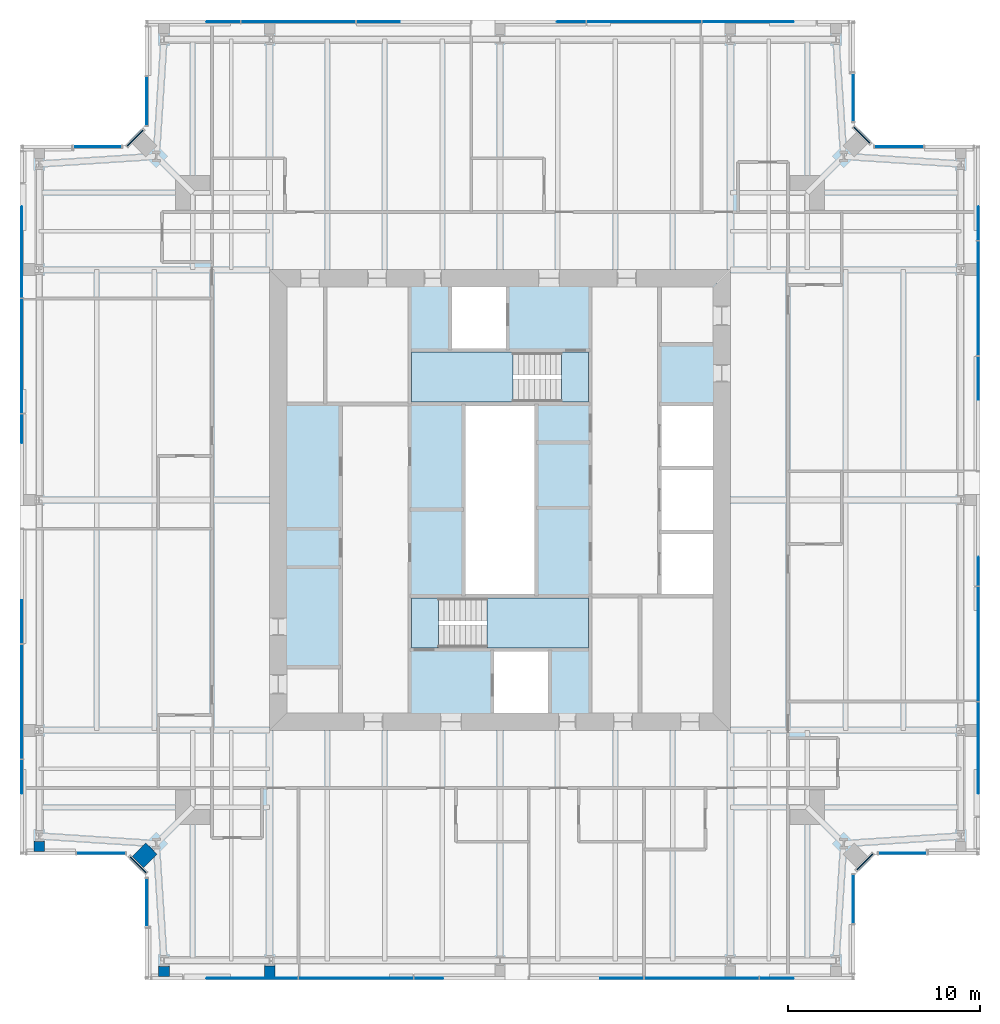
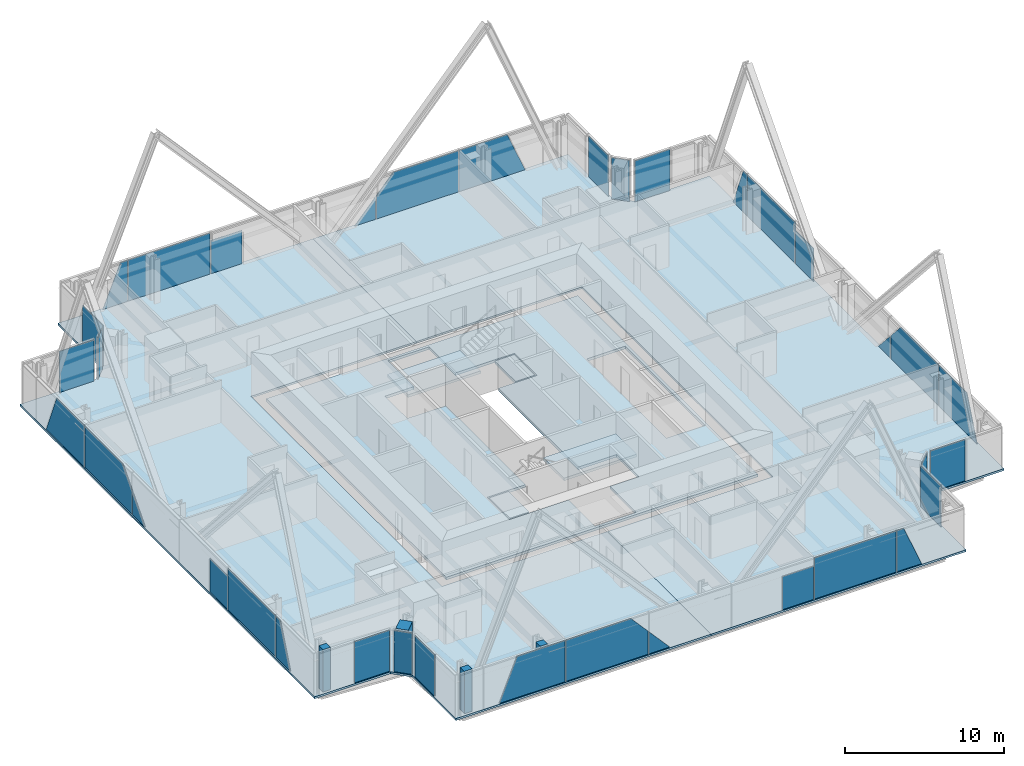
# One storey, part 10 of 19: 36 plates, 7 slabs, 4 walls, 18 elements without a shape of their own.
"""IFC4 building model written with IfcOpenShell, lengths in metres."""

from ifc_helpers import new_model, si_unit, direction, frame, frame_2d, origin, origin_2d, place, context, subcontext, project, spatial, polyline, rectangle, outline, extrude, material, layer, layer_set, type_object, element, aggregate, save


model = new_model("IFC4")

# Units and contexts
model_context = context("Model", 3, precision=1e-05, world=origin(), true_north=direction((0.0, 1.0)))
body_context = subcontext(model_context, "Body", "Model", "MODEL_VIEW")
ifc_project = project(units=[si_unit("LENGTHUNIT", "METRE"), si_unit("AREAUNIT", "SQUARE_METRE"), si_unit("VOLUMEUNIT", "CUBIC_METRE"), si_unit("PLANEANGLEUNIT", "RADIAN"), si_unit("MASSUNIT", "GRAM", prefix="KILO")], contexts=[model_context])

# Site, building, storey
site_placement = place(None, origin())
site = spatial("IfcSite", under=ifc_project, at=site_placement, CompositionType="ELEMENT")
building_placement = place(site_placement, origin())
building = spatial("IfcBuilding", under=site, at=building_placement, Name="Fenwick Lantern Interchange", CompositionType="ELEMENT")
storey_placement = place(building_placement, frame((0.0, 0.0, 283.199951171875)))
storey = spatial("IfcBuildingStorey", under=building, at=storey_placement, Name="L68", CompositionType="ELEMENT", Elevation=283.199951171875)

# Slabs
ifc_material_1 = material(Name="Concrete f'c 35 MPa", Category="concrete")
ifc_layer_1 = layer(ifc_material_1, 0.199951171875)
ifc_layer_set_1 = layer_set([ifc_layer_1], Name="CORE FLOOR SLAB 200")
slab_type_1 = type_object("IfcSlabType", Name="CORE FLOOR SLAB 200", PredefinedType="FLOOR", material=ifc_layer_set_1)
slab_1_placement = place(storey_placement, frame((0.0, 0.0, -0.199951171875)))
element("IfcSlab", 1, at=slab_1_placement, inside=storey, type_object=slab_type_1, Name="L68/SLAB/CORE", PredefinedType="FLOOR", context=body_context, shape_type="SweptSolid", body=[
    extrude(outline(polyline([(13.699951171875, 36.300048828125), (36.300048828125, 36.300048828125), (36.300048828125, 13.699951171875), (13.699951171875, 13.699951171875), (13.699951171875, 36.300048828125)]), holes=[polyline([(24.60009765625, 13.89990234375), (27.60009765625, 13.89990234375), (27.60009765625, 17.199951171875), (29.699951171875, 17.199951171875), (29.699951171875, 20.0), (26.89990234375, 20.0), (26.89990234375, 30.0), (29.699951171875, 30.0), (29.699951171875, 32.800048828125), (25.39990234375, 32.800048828125), (25.39990234375, 36.10009765625), (22.39990234375, 36.10009765625), (22.39990234375, 32.800048828125), (20.300048828125, 32.800048828125), (20.300048828125, 30.0), (23.10009765625, 30.0), (23.10009765625, 20.0), (20.300048828125, 20.0), (20.300048828125, 17.199951171875), (24.60009765625, 17.199951171875), (24.60009765625, 13.89990234375)]), polyline([(33.300048828125, 20.0), (36.10009765625, 20.0), (36.10009765625, 23.333251953125), (36.10009765625, 26.666748046875), (36.10009765625, 30.0), (33.300048828125, 30.0), (33.300048828125, 26.666748046875), (33.300048828125, 23.333251953125), (33.300048828125, 20.0)])]), origin(), (0.0, 0.0, 1.0), 0.199951171875),
])
ifc_material_2 = material(Name="Concrete f'c 35 MPa", Category="concrete")
ifc_layer_2 = layer(ifc_material_2, 0.14990234375)
ifc_layer_set_2 = layer_set([ifc_layer_2], Name="Concrete f'c 35 MPa")
slab_type_2 = type_object("IfcSlabType", Name="FLOOR SLAB 150", PredefinedType="FLOOR", material=ifc_layer_set_2)
slab_2_placement = place(storey_placement, frame((0.0, 0.0, -0.14990234375)))
element("IfcSlab", 2, at=slab_2_placement, inside=storey, type_object=slab_type_2, Name="L68/SLAB/FW", PredefinedType="FLOOR", context=body_context, shape_type="SweptSolid", body=[
    extrude(outline(polyline([(6.5, 0.0), (6.5, 5.5), (5.5, 6.5), (0.0, 6.5), (0.0, 43.5), (5.5, 43.5), (6.5, 44.5), (6.5, 50.0), (25.0, 50.0), (25.0, 37.0), (13.0, 37.0), (13.0, 13.0), (25.0, 13.0), (25.0, 0.0), (6.5, 0.0)])), origin(), (0.0, 0.0, 1.0), 0.14990234375),
])
slab_3_placement = place(storey_placement, frame((0.0, 0.0, -0.14990234375)))
element("IfcSlab", 3, at=slab_3_placement, inside=storey, type_object=slab_type_2, Name="L68/SLAB/FE", PredefinedType="FLOOR", context=body_context, shape_type="SweptSolid", body=[
    extrude(outline(polyline([(43.5, 50.0), (43.5, 44.5), (44.5, 43.5), (50.0, 43.5), (50.0, 6.5), (44.5, 6.5), (43.5, 5.5), (43.5, 0.0), (25.0, 0.0), (25.0, 13.0), (37.0, 13.0), (37.0, 37.0), (25.0, 37.0), (25.0, 50.0), (43.5, 50.0)])), origin(), (0.0, 0.0, 1.0), 0.14990234375),
])

# Curtain wall, plates
ifc_material_3 = material(Name="Aluminium curtain wall frame", Category="aluminium")
curtain_wall_type = type_object("IfcCurtainWallType", Name="HOTEL CURTAIN WALL", PredefinedType="USERDEFINED", material=ifc_material_3)
curtain_wall_1_placement = place(storey_placement, origin())
curtain_wall_1 = element("IfcCurtainWall", 4, at=curtain_wall_1_placement, inside=storey, type_object=curtain_wall_type, Name="Hotel curtain wall 01", ObjectType="HOTEL CURTAIN WALL", PredefinedType="USERDEFINED")
ifc_material_4 = material(Name="Vision glass, acoustic laminated double glazed unit", Category="glass")
ifc_layer_3 = layer(ifc_material_4, 0.052001953125)
ifc_layer_set_3 = layer_set([ifc_layer_3], Name="HOTEL CURTAIN WALL PANEL 52")
plate_type = type_object("IfcPlateType", Name="HOTEL CURTAIN WALL PANEL 52", PredefinedType="CURTAIN_PANEL", material=ifc_layer_set_3)
plate_1_placement = place(storey_placement, frame((6.60009765625, 0.10009765625, 0.0), z_axis=(0.0, 0.0, 1.0), x_axis=(1.0, 0.0, 0.0)))
plate_1 = element("IfcPlate", 5, at=plate_1_placement, type_object=plate_type, Name="L68/CW/01/P01a", PredefinedType="CURTAIN_PANEL", context=body_context, shape_type="SweptSolid", body=[
    extrude(outline(polyline([(3.091064453125, 0.0), (7.8701171875, 0.0), (7.8701171875, 3.150146484375), (4.3759765625, 3.150146484375), (3.091064453125, 0.0)])), frame((0.0, 0.02587890625, 0.0), z_axis=(0.0, -1.0, 0.0), x_axis=(1.0, 0.0, 0.0)), (0.0, 0.0, 1.0), 0.052001953125),
])
plate_2_placement = place(storey_placement, frame((6.60009765625, 0.10009765625, 0.0), z_axis=(0.0, 0.0, 1.0), x_axis=(1.0, 0.0, 0.0)))
plate_2 = element("IfcPlate", 6, at=plate_2_placement, type_object=plate_type, Name="L68/CW/01/P02a", PredefinedType="CURTAIN_PANEL", context=body_context, shape_type="SweptSolid", body=[
    extrude(outline(polyline([(7.929931640625, 0.0), (13.8701171875, 0.0), (13.8701171875, 1.77685546875), (12.648193359375, 3.150146484375), (7.929931640625, 3.150146484375), (7.929931640625, 0.0)])), frame((0.0, 0.02587890625, 0.0), z_axis=(0.0, -1.0, 0.0), x_axis=(1.0, 0.0, 0.0)), (0.0, 0.0, 1.0), 0.052001953125),
])
plate_3_placement = place(storey_placement, frame((6.60009765625, 0.10009765625, 0.0), z_axis=(0.0, 0.0, 1.0), x_axis=(1.0, 0.0, 0.0)))
plate_3 = element("IfcPlate", 7, at=plate_3_placement, type_object=plate_type, Name="L68/CW/01/P03a", PredefinedType="CURTAIN_PANEL", context=body_context, shape_type="SweptSolid", body=[
    extrude(outline(polyline([(13.929931640625, 0.0), (15.451171875, 0.0), (13.929931640625, 1.70947265625), (13.929931640625, 0.0)])), frame((0.0, 0.02587890625, 0.0), z_axis=(0.0, -1.0, 0.0), x_axis=(1.0, 0.0, 0.0)), (0.0, 0.0, 1.0), 0.052001953125),
])
plate_4_placement = place(storey_placement, frame((6.60009765625, 0.10009765625, 0.0), z_axis=(0.0, 0.0, 1.0), x_axis=(1.0, 0.0, 0.0)))
plate_4 = element("IfcPlate", 8, at=plate_4_placement, type_object=plate_type, Name="L68/CW/01/P04a", PredefinedType="CURTAIN_PANEL", context=body_context, shape_type="SweptSolid", body=[
    extrude(outline(polyline([(23.60888671875, 0.0), (25.8701171875, 0.0), (25.8701171875, 2.539794921875), (23.60888671875, 2.539794921875), (23.60888671875, 0.0)])), frame((0.0, 0.02587890625, 0.0), z_axis=(0.0, -1.0, 0.0), x_axis=(1.0, 0.0, 0.0)), (0.0, 0.0, 1.0), 0.052001953125),
])
plate_5_placement = place(storey_placement, frame((35.5, 0.10009765625, 0.0), z_axis=(0.0, 0.0, 1.0), x_axis=(1.0, 0.0, 0.0)))
plate_5 = element("IfcPlate", 9, at=plate_5_placement, type_object=plate_type, Name="L68/CW/01/P05", PredefinedType="CURTAIN_PANEL", context=body_context, shape_type="SweptSolid", body=[
    extrude(rectangle(XDim=5.93994140625, YDim=0.052001953125, at=origin_2d()), origin(), (0.0, 0.0, 1.0), 3.14990234375),
])
plate_6_placement = place(storey_placement, frame((6.60009765625, 0.10009765625, 0.0), z_axis=(0.0, 0.0, 1.0), x_axis=(1.0, 0.0, 0.0)))
plate_6 = element("IfcPlate", 10, at=plate_6_placement, type_object=plate_type, Name="L68/CW/01/P06a", PredefinedType="CURTAIN_PANEL", context=body_context, shape_type="SweptSolid", body=[
    extrude(outline(polyline([(31.929931640625, 0.0), (33.708984375, 0.0), (32.424072265625, 3.150146484375), (31.929931640625, 3.150146484375), (31.929931640625, 0.0)])), frame((0.0, 0.02587890625, 0.0), z_axis=(0.0, -1.0, 0.0), x_axis=(1.0, 0.0, 0.0)), (0.0, 0.0, 1.0), 0.052001953125),
])
aggregate(curtain_wall_1, [plate_1, plate_2, plate_3, plate_4, plate_5, plate_6])

# Curtain wall, plate
curtain_wall_2_placement = place(storey_placement, origin())
curtain_wall_2 = element("IfcCurtainWall", 11, at=curtain_wall_2_placement, inside=storey, type_object=curtain_wall_type, Name="Hotel curtain wall 02", ObjectType="HOTEL CURTAIN WALL", PredefinedType="USERDEFINED")
plate_7_placement = place(storey_placement, frame((43.39990234375, 4.216064453125, 0.0), z_axis=(0.0, 0.0, 1.0), x_axis=(0.0, 1.0, 0.0)))
plate_7 = element("IfcPlate", 12, at=plate_7_placement, type_object=plate_type, Name="L68/CW/02/P01", PredefinedType="CURTAIN_PANEL", context=body_context, shape_type="SweptSolid", body=[
    extrude(rectangle(XDim=2.53076171875, YDim=0.052001953125, at=origin_2d()), origin(), (0.0, 0.0, 1.0), 3.14990234375),
])
aggregate(curtain_wall_2, [plate_7])

curtain_wall_3_placement = place(storey_placement, origin())
curtain_wall_3 = element("IfcCurtainWall", 13, at=curtain_wall_3_placement, inside=storey, type_object=curtain_wall_type, Name="Hotel curtain wall 03", ObjectType="HOTEL CURTAIN WALL", PredefinedType="USERDEFINED")
plate_8_placement = place(storey_placement, frame((44.0, 6.141357421875, 0.0), z_axis=(0.0, 0.0, 1.0), x_axis=(0.707106781187, 0.707106781187, 0.0)))
plate_8 = element("IfcPlate", 14, at=plate_8_placement, type_object=plate_type, Name="L68/CW/03/P00", PredefinedType="CURTAIN_PANEL", context=body_context, shape_type="SweptSolid", body=[
    extrude(rectangle(XDim=1.177001953125, YDim=0.052001953125, at=origin_2d()), origin(), (0.0, 0.0, 1.0), 3.14990234375),
])
aggregate(curtain_wall_3, [plate_8])

curtain_wall_4_placement = place(storey_placement, origin())
curtain_wall_4 = element("IfcCurtainWall", 15, at=curtain_wall_4_placement, inside=storey, type_object=curtain_wall_type, Name="Hotel curtain wall 04", ObjectType="HOTEL CURTAIN WALL", PredefinedType="USERDEFINED")
plate_9_placement = place(storey_placement, frame((44.45849609375, 6.60009765625, 0.0), z_axis=(0.0, 0.0, 1.0), x_axis=(1.0, 0.0, 0.0)))
plate_9 = element("IfcPlate", 16, at=plate_9_placement, type_object=plate_type, Name="L68/CW/04/P00a", PredefinedType="CURTAIN_PANEL", context=body_context, shape_type="SweptSolid", body=[
    extrude(outline(polyline([(0.260009765625, 0.0), (2.741455078125, 0.0), (2.741455078125, 3.150146484375), (0.260009765625, 3.150146484375), (0.260009765625, 0.0)])), frame((0.0, 0.02587890625, 0.0), z_axis=(0.0, -1.0, 0.0), x_axis=(1.0, 0.0, 0.0)), (0.0, 0.0, 1.0), 0.052001953125),
])
aggregate(curtain_wall_4, [plate_9])

# Curtain wall, plates
curtain_wall_5_placement = place(storey_placement, origin())
curtain_wall_5 = element("IfcCurtainWall", 17, at=curtain_wall_5_placement, inside=storey, type_object=curtain_wall_type, Name="Hotel curtain wall 05", ObjectType="HOTEL CURTAIN WALL", PredefinedType="USERDEFINED")
plate_10_placement = place(storey_placement, frame((49.89990234375, 6.60009765625, 0.0), z_axis=(0.0, 0.0, 1.0), x_axis=(0.0, 1.0, 0.0)))
plate_10 = element("IfcPlate", 18, at=plate_10_placement, type_object=plate_type, Name="L68/CW/05/P01a", PredefinedType="CURTAIN_PANEL", context=body_context, shape_type="SweptSolid", body=[
    extrude(outline(polyline([(3.091064453125, 0.0), (7.8701171875, 0.0), (7.8701171875, 3.150146484375), (4.3759765625, 3.150146484375), (3.091064453125, 0.0)])), frame((0.0, 0.02587890625, 0.0), z_axis=(0.0, -1.0, 0.0), x_axis=(1.0, 0.0, 0.0)), (0.0, 0.0, 1.0), 0.052001953125),
])
plate_11_placement = place(storey_placement, frame((49.89990234375, 6.60009765625, 0.0), z_axis=(0.0, 0.0, 1.0), x_axis=(0.0, 1.0, 0.0)))
plate_11 = element("IfcPlate", 19, at=plate_11_placement, type_object=plate_type, Name="L68/CW/05/P02a", PredefinedType="CURTAIN_PANEL", context=body_context, shape_type="SweptSolid", body=[
    extrude(outline(polyline([(7.929931640625, 0.0), (13.8701171875, 0.0), (13.8701171875, 1.77685546875), (12.648193359375, 3.150146484375), (7.929931640625, 3.150146484375), (7.929931640625, 0.0)])), frame((0.0, 0.02587890625, 0.0), z_axis=(0.0, -1.0, 0.0), x_axis=(1.0, 0.0, 0.0)), (0.0, 0.0, 1.0), 0.052001953125),
])
plate_12_placement = place(storey_placement, frame((49.89990234375, 6.60009765625, 0.0), z_axis=(0.0, 0.0, 1.0), x_axis=(0.0, 1.0, 0.0)))
plate_12 = element("IfcPlate", 20, at=plate_12_placement, type_object=plate_type, Name="L68/CW/05/P03a", PredefinedType="CURTAIN_PANEL", context=body_context, shape_type="SweptSolid", body=[
    extrude(outline(polyline([(13.929931640625, 0.0), (15.451171875, 0.0), (13.929931640625, 1.70947265625), (13.929931640625, 0.0)])), frame((0.0, 0.02587890625, 0.0), z_axis=(0.0, -1.0, 0.0), x_axis=(1.0, 0.0, 0.0)), (0.0, 0.0, 1.0), 0.052001953125),
])
plate_13_placement = place(storey_placement, frame((49.89990234375, 6.60009765625, 0.0), z_axis=(0.0, 0.0, 1.0), x_axis=(0.0, 1.0, 0.0)))
plate_13 = element("IfcPlate", 21, at=plate_13_placement, type_object=plate_type, Name="L68/CW/05/P04a", PredefinedType="CURTAIN_PANEL", context=body_context, shape_type="SweptSolid", body=[
    extrude(outline(polyline([(23.60888671875, 0.0), (25.8701171875, 0.0), (25.8701171875, 2.539794921875), (23.60888671875, 2.539794921875), (23.60888671875, 0.0)])), frame((0.0, 0.02587890625, 0.0), z_axis=(0.0, -1.0, 0.0), x_axis=(1.0, 0.0, 0.0)), (0.0, 0.0, 1.0), 0.052001953125),
])
plate_14_placement = place(storey_placement, frame((49.89990234375, 35.5, 0.0), z_axis=(0.0, 0.0, 1.0), x_axis=(0.0, 1.0, 0.0)))
plate_14 = element("IfcPlate", 22, at=plate_14_placement, type_object=plate_type, Name="L68/CW/05/P05", PredefinedType="CURTAIN_PANEL", context=body_context, shape_type="SweptSolid", body=[
    extrude(rectangle(XDim=5.93994140625, YDim=0.052001953125, at=origin_2d()), origin(), (0.0, 0.0, 1.0), 3.14990234375),
])
plate_15_placement = place(storey_placement, frame((49.89990234375, 6.60009765625, 0.0), z_axis=(0.0, 0.0, 1.0), x_axis=(0.0, 1.0, 0.0)))
plate_15 = element("IfcPlate", 23, at=plate_15_placement, type_object=plate_type, Name="L68/CW/05/P06a", PredefinedType="CURTAIN_PANEL", context=body_context, shape_type="SweptSolid", body=[
    extrude(outline(polyline([(31.929931640625, 0.0), (33.708984375, 0.0), (32.424072265625, 3.150146484375), (31.929931640625, 3.150146484375), (31.929931640625, 0.0)])), frame((0.0, 0.02587890625, 0.0), z_axis=(0.0, -1.0, 0.0), x_axis=(1.0, 0.0, 0.0)), (0.0, 0.0, 1.0), 0.052001953125),
])
aggregate(curtain_wall_5, [plate_10, plate_11, plate_12, plate_13, plate_14, plate_15])

# Curtain wall, plate
curtain_wall_6_placement = place(storey_placement, origin())
curtain_wall_6 = element("IfcCurtainWall", 24, at=curtain_wall_6_placement, inside=storey, type_object=curtain_wall_type, Name="Hotel curtain wall 06", ObjectType="HOTEL CURTAIN WALL", PredefinedType="USERDEFINED")
plate_16_placement = place(storey_placement, frame((45.783935546875, 43.39990234375, 0.0), z_axis=(0.0, 0.0, 1.0), x_axis=(-1.0, 0.0, 0.0)))
plate_16 = element("IfcPlate", 25, at=plate_16_placement, type_object=plate_type, Name="L68/CW/06/P01", PredefinedType="CURTAIN_PANEL", context=body_context, shape_type="SweptSolid", body=[
    extrude(rectangle(XDim=2.53076171875, YDim=0.052001953125, at=origin_2d()), origin(), (0.0, 0.0, 1.0), 3.14990234375),
])
aggregate(curtain_wall_6, [plate_16])

curtain_wall_7_placement = place(storey_placement, origin())
curtain_wall_7 = element("IfcCurtainWall", 26, at=curtain_wall_7_placement, inside=storey, type_object=curtain_wall_type, Name="Hotel curtain wall 07", ObjectType="HOTEL CURTAIN WALL", PredefinedType="USERDEFINED")
plate_17_placement = place(storey_placement, frame((43.858642578125, 44.0, 0.0), z_axis=(0.0, 0.0, 1.0), x_axis=(-0.707106781187, 0.707106781187, 0.0)))
plate_17 = element("IfcPlate", 27, at=plate_17_placement, type_object=plate_type, Name="L68/CW/07/P00", PredefinedType="CURTAIN_PANEL", context=body_context, shape_type="SweptSolid", body=[
    extrude(rectangle(XDim=1.177001953125, YDim=0.052001953125, at=origin_2d()), origin(), (0.0, 0.0, 1.0), 3.14990234375),
])
aggregate(curtain_wall_7, [plate_17])

curtain_wall_8_placement = place(storey_placement, origin())
curtain_wall_8 = element("IfcCurtainWall", 28, at=curtain_wall_8_placement, inside=storey, type_object=curtain_wall_type, Name="Hotel curtain wall 08", ObjectType="HOTEL CURTAIN WALL", PredefinedType="USERDEFINED")
plate_18_placement = place(storey_placement, frame((43.39990234375, 44.45849609375, 0.0), z_axis=(0.0, 0.0, 1.0), x_axis=(0.0, 1.0, 0.0)))
plate_18 = element("IfcPlate", 29, at=plate_18_placement, type_object=plate_type, Name="L68/CW/08/P00a", PredefinedType="CURTAIN_PANEL", context=body_context, shape_type="SweptSolid", body=[
    extrude(outline(polyline([(0.260009765625, 0.0), (2.741455078125, 0.0), (2.741455078125, 3.150146484375), (0.260009765625, 3.150146484375), (0.260009765625, 0.0)])), frame((0.0, 0.02587890625, 0.0), z_axis=(0.0, -1.0, 0.0), x_axis=(1.0, 0.0, 0.0)), (0.0, 0.0, 1.0), 0.052001953125),
])
aggregate(curtain_wall_8, [plate_18])

# Curtain wall, plates
curtain_wall_9_placement = place(storey_placement, origin())
curtain_wall_9 = element("IfcCurtainWall", 30, at=curtain_wall_9_placement, inside=storey, type_object=curtain_wall_type, Name="Hotel curtain wall 09", ObjectType="HOTEL CURTAIN WALL", PredefinedType="USERDEFINED")
plate_19_placement = place(storey_placement, frame((43.39990234375, 49.89990234375, 0.0), z_axis=(0.0, 0.0, 1.0), x_axis=(-1.0, 0.0, 0.0)))
plate_19 = element("IfcPlate", 31, at=plate_19_placement, type_object=plate_type, Name="L68/CW/09/P01a", PredefinedType="CURTAIN_PANEL", context=body_context, shape_type="SweptSolid", body=[
    extrude(outline(polyline([(3.091064453125, 0.0), (7.8701171875, 0.0), (7.8701171875, 3.150146484375), (4.3759765625, 3.150146484375), (3.091064453125, 0.0)])), frame((0.0, 0.02587890625, 0.0), z_axis=(0.0, -1.0, 0.0), x_axis=(1.0, 0.0, 0.0)), (0.0, 0.0, 1.0), 0.052001953125),
])
plate_20_placement = place(storey_placement, frame((43.39990234375, 49.89990234375, 0.0), z_axis=(0.0, 0.0, 1.0), x_axis=(-1.0, 0.0, 0.0)))
plate_20 = element("IfcPlate", 32, at=plate_20_placement, type_object=plate_type, Name="L68/CW/09/P02a", PredefinedType="CURTAIN_PANEL", context=body_context, shape_type="SweptSolid", body=[
    extrude(outline(polyline([(7.929931640625, 0.0), (13.8701171875, 0.0), (13.8701171875, 1.77685546875), (12.648193359375, 3.150146484375), (7.929931640625, 3.150146484375), (7.929931640625, 0.0)])), frame((0.0, 0.02587890625, 0.0), z_axis=(0.0, -1.0, 0.0), x_axis=(1.0, 0.0, 0.0)), (0.0, 0.0, 1.0), 0.052001953125),
])
plate_21_placement = place(storey_placement, frame((43.39990234375, 49.89990234375, 0.0), z_axis=(0.0, 0.0, 1.0), x_axis=(-1.0, 0.0, 0.0)))
plate_21 = element("IfcPlate", 33, at=plate_21_placement, type_object=plate_type, Name="L68/CW/09/P03a", PredefinedType="CURTAIN_PANEL", context=body_context, shape_type="SweptSolid", body=[
    extrude(outline(polyline([(13.929931640625, 0.0), (15.451171875, 0.0), (13.929931640625, 1.70947265625), (13.929931640625, 0.0)])), frame((0.0, 0.02587890625, 0.0), z_axis=(0.0, -1.0, 0.0), x_axis=(1.0, 0.0, 0.0)), (0.0, 0.0, 1.0), 0.052001953125),
])
plate_22_placement = place(storey_placement, frame((43.39990234375, 49.89990234375, 0.0), z_axis=(0.0, 0.0, 1.0), x_axis=(-1.0, 0.0, 0.0)))
plate_22 = element("IfcPlate", 34, at=plate_22_placement, type_object=plate_type, Name="L68/CW/09/P04a", PredefinedType="CURTAIN_PANEL", context=body_context, shape_type="SweptSolid", body=[
    extrude(outline(polyline([(23.60888671875, 0.0), (25.8701171875, 0.0), (25.8701171875, 2.539794921875), (23.60888671875, 2.539794921875), (23.60888671875, 0.0)])), frame((0.0, 0.02587890625, 0.0), z_axis=(0.0, -1.0, 0.0), x_axis=(1.0, 0.0, 0.0)), (0.0, 0.0, 1.0), 0.052001953125),
])
plate_23_placement = place(storey_placement, frame((14.5, 49.89990234375, 0.0), z_axis=(0.0, 0.0, 1.0), x_axis=(-1.0, 0.0, 0.0)))
plate_23 = element("IfcPlate", 35, at=plate_23_placement, type_object=plate_type, Name="L68/CW/09/P05", PredefinedType="CURTAIN_PANEL", context=body_context, shape_type="SweptSolid", body=[
    extrude(rectangle(XDim=5.93994140625, YDim=0.052001953125, at=origin_2d()), origin(), (0.0, 0.0, 1.0), 3.14990234375),
])
plate_24_placement = place(storey_placement, frame((43.39990234375, 49.89990234375, 0.0), z_axis=(0.0, 0.0, 1.0), x_axis=(-1.0, 0.0, 0.0)))
plate_24 = element("IfcPlate", 36, at=plate_24_placement, type_object=plate_type, Name="L68/CW/09/P06a", PredefinedType="CURTAIN_PANEL", context=body_context, shape_type="SweptSolid", body=[
    extrude(outline(polyline([(31.929931640625, 0.0), (33.708984375, 0.0), (32.424072265625, 3.150146484375), (31.929931640625, 3.150146484375), (31.929931640625, 0.0)])), frame((0.0, 0.02587890625, 0.0), z_axis=(0.0, -1.0, 0.0), x_axis=(1.0, 0.0, 0.0)), (0.0, 0.0, 1.0), 0.052001953125),
])
aggregate(curtain_wall_9, [plate_19, plate_20, plate_21, plate_22, plate_23, plate_24])

# Curtain wall, plate
curtain_wall_10_placement = place(storey_placement, origin())
curtain_wall_10 = element("IfcCurtainWall", 37, at=curtain_wall_10_placement, inside=storey, type_object=curtain_wall_type, Name="Hotel curtain wall 10", ObjectType="HOTEL CURTAIN WALL", PredefinedType="USERDEFINED")
plate_25_placement = place(storey_placement, frame((6.60009765625, 45.783935546875, 0.0), z_axis=(0.0, 0.0, 1.0), x_axis=(0.0, -1.0, 0.0)))
plate_25 = element("IfcPlate", 38, at=plate_25_placement, type_object=plate_type, Name="L68/CW/10/P01", PredefinedType="CURTAIN_PANEL", context=body_context, shape_type="SweptSolid", body=[
    extrude(rectangle(XDim=2.53076171875, YDim=0.052001953125, at=origin_2d()), origin(), (0.0, 0.0, 1.0), 3.14990234375),
])
aggregate(curtain_wall_10, [plate_25])

curtain_wall_11_placement = place(storey_placement, origin())
curtain_wall_11 = element("IfcCurtainWall", 39, at=curtain_wall_11_placement, inside=storey, type_object=curtain_wall_type, Name="Hotel curtain wall 11", ObjectType="HOTEL CURTAIN WALL", PredefinedType="USERDEFINED")
plate_26_placement = place(storey_placement, frame((6.0, 43.858642578125, 0.0), z_axis=(0.0, 0.0, 1.0), x_axis=(-0.707106781187, -0.707106781187, 0.0)))
plate_26 = element("IfcPlate", 40, at=plate_26_placement, type_object=plate_type, Name="L68/CW/11/P00", PredefinedType="CURTAIN_PANEL", context=body_context, shape_type="SweptSolid", body=[
    extrude(rectangle(XDim=1.177001953125, YDim=0.052001953125, at=origin_2d()), origin(), (0.0, 0.0, 1.0), 3.14990234375),
])
aggregate(curtain_wall_11, [plate_26])

curtain_wall_12_placement = place(storey_placement, origin())
curtain_wall_12 = element("IfcCurtainWall", 41, at=curtain_wall_12_placement, inside=storey, type_object=curtain_wall_type, Name="Hotel curtain wall 12", ObjectType="HOTEL CURTAIN WALL", PredefinedType="USERDEFINED")
plate_27_placement = place(storey_placement, frame((5.54150390625, 43.39990234375, 0.0), z_axis=(0.0, 0.0, 1.0), x_axis=(-1.0, 0.0, 0.0)))
plate_27 = element("IfcPlate", 42, at=plate_27_placement, type_object=plate_type, Name="L68/CW/12/P00a", PredefinedType="CURTAIN_PANEL", context=body_context, shape_type="SweptSolid", body=[
    extrude(outline(polyline([(0.260009765625, 0.0), (2.741455078125, 0.0), (2.741455078125, 3.150146484375), (0.260009765625, 3.150146484375), (0.260009765625, 0.0)])), frame((0.0, 0.02587890625, 0.0), z_axis=(0.0, -1.0, 0.0), x_axis=(1.0, 0.0, 0.0)), (0.0, 0.0, 1.0), 0.052001953125),
])
aggregate(curtain_wall_12, [plate_27])

# Curtain wall, plates
curtain_wall_13_placement = place(storey_placement, origin())
curtain_wall_13 = element("IfcCurtainWall", 43, at=curtain_wall_13_placement, inside=storey, type_object=curtain_wall_type, Name="Hotel curtain wall 13", ObjectType="HOTEL CURTAIN WALL", PredefinedType="USERDEFINED")
plate_28_placement = place(storey_placement, frame((0.10009765625, 43.39990234375, 0.0), z_axis=(0.0, 0.0, 1.0), x_axis=(0.0, -1.0, 0.0)))
plate_28 = element("IfcPlate", 44, at=plate_28_placement, type_object=plate_type, Name="L68/CW/13/P01a", PredefinedType="CURTAIN_PANEL", context=body_context, shape_type="SweptSolid", body=[
    extrude(outline(polyline([(3.091064453125, 0.0), (7.8701171875, 0.0), (7.8701171875, 3.150146484375), (4.3759765625, 3.150146484375), (3.091064453125, 0.0)])), frame((0.0, 0.02587890625, 0.0), z_axis=(0.0, -1.0, 0.0), x_axis=(1.0, 0.0, 0.0)), (0.0, 0.0, 1.0), 0.052001953125),
])
plate_29_placement = place(storey_placement, frame((0.10009765625, 43.39990234375, 0.0), z_axis=(0.0, 0.0, 1.0), x_axis=(0.0, -1.0, 0.0)))
plate_29 = element("IfcPlate", 45, at=plate_29_placement, type_object=plate_type, Name="L68/CW/13/P02a", PredefinedType="CURTAIN_PANEL", context=body_context, shape_type="SweptSolid", body=[
    extrude(outline(polyline([(7.929931640625, 0.0), (13.8701171875, 0.0), (13.8701171875, 1.77685546875), (12.648193359375, 3.150146484375), (7.929931640625, 3.150146484375), (7.929931640625, 0.0)])), frame((0.0, 0.02587890625, 0.0), z_axis=(0.0, -1.0, 0.0), x_axis=(1.0, 0.0, 0.0)), (0.0, 0.0, 1.0), 0.052001953125),
])
plate_30_placement = place(storey_placement, frame((0.10009765625, 43.39990234375, 0.0), z_axis=(0.0, 0.0, 1.0), x_axis=(0.0, -1.0, 0.0)))
plate_30 = element("IfcPlate", 46, at=plate_30_placement, type_object=plate_type, Name="L68/CW/13/P03a", PredefinedType="CURTAIN_PANEL", context=body_context, shape_type="SweptSolid", body=[
    extrude(outline(polyline([(13.929931640625, 0.0), (15.451171875, 0.0), (13.929931640625, 1.70947265625), (13.929931640625, 0.0)])), frame((0.0, 0.02587890625, 0.0), z_axis=(0.0, -1.0, 0.0), x_axis=(1.0, 0.0, 0.0)), (0.0, 0.0, 1.0), 0.052001953125),
])
plate_31_placement = place(storey_placement, frame((0.10009765625, 43.39990234375, 0.0), z_axis=(0.0, 0.0, 1.0), x_axis=(0.0, -1.0, 0.0)))
plate_31 = element("IfcPlate", 47, at=plate_31_placement, type_object=plate_type, Name="L68/CW/13/P04a", PredefinedType="CURTAIN_PANEL", context=body_context, shape_type="SweptSolid", body=[
    extrude(outline(polyline([(23.60888671875, 0.0), (25.8701171875, 0.0), (25.8701171875, 2.539794921875), (23.60888671875, 2.539794921875), (23.60888671875, 0.0)])), frame((0.0, 0.02587890625, 0.0), z_axis=(0.0, -1.0, 0.0), x_axis=(1.0, 0.0, 0.0)), (0.0, 0.0, 1.0), 0.052001953125),
])
plate_32_placement = place(storey_placement, frame((0.10009765625, 14.5, 0.0), z_axis=(0.0, 0.0, 1.0), x_axis=(0.0, -1.0, 0.0)))
plate_32 = element("IfcPlate", 48, at=plate_32_placement, type_object=plate_type, Name="L68/CW/13/P05", PredefinedType="CURTAIN_PANEL", context=body_context, shape_type="SweptSolid", body=[
    extrude(rectangle(XDim=5.93994140625, YDim=0.052001953125, at=origin_2d()), origin(), (0.0, 0.0, 1.0), 3.14990234375),
])
plate_33_placement = place(storey_placement, frame((0.10009765625, 43.39990234375, 0.0), z_axis=(0.0, 0.0, 1.0), x_axis=(0.0, -1.0, 0.0)))
plate_33 = element("IfcPlate", 49, at=plate_33_placement, type_object=plate_type, Name="L68/CW/13/P06a", PredefinedType="CURTAIN_PANEL", context=body_context, shape_type="SweptSolid", body=[
    extrude(outline(polyline([(31.929931640625, 0.0), (33.708984375, 0.0), (32.424072265625, 3.150146484375), (31.929931640625, 3.150146484375), (31.929931640625, 0.0)])), frame((0.0, 0.02587890625, 0.0), z_axis=(0.0, -1.0, 0.0), x_axis=(1.0, 0.0, 0.0)), (0.0, 0.0, 1.0), 0.052001953125),
])
aggregate(curtain_wall_13, [plate_28, plate_29, plate_30, plate_31, plate_32, plate_33])

# Curtain wall, plate
curtain_wall_14_placement = place(storey_placement, origin())
curtain_wall_14 = element("IfcCurtainWall", 50, at=curtain_wall_14_placement, inside=storey, type_object=curtain_wall_type, Name="Hotel curtain wall 14", ObjectType="HOTEL CURTAIN WALL", PredefinedType="USERDEFINED")
plate_34_placement = place(storey_placement, frame((4.216064453125, 6.60009765625, 0.0), z_axis=(0.0, 0.0, 1.0), x_axis=(1.0, 0.0, 0.0)))
plate_34 = element("IfcPlate", 51, at=plate_34_placement, type_object=plate_type, Name="L68/CW/14/P01", PredefinedType="CURTAIN_PANEL", context=body_context, shape_type="SweptSolid", body=[
    extrude(rectangle(XDim=2.53076171875, YDim=0.052001953125, at=origin_2d()), origin(), (0.0, 0.0, 1.0), 3.14990234375),
])
aggregate(curtain_wall_14, [plate_34])

curtain_wall_15_placement = place(storey_placement, origin())
curtain_wall_15 = element("IfcCurtainWall", 52, at=curtain_wall_15_placement, inside=storey, type_object=curtain_wall_type, Name="Hotel curtain wall 15", ObjectType="HOTEL CURTAIN WALL", PredefinedType="USERDEFINED")
plate_35_placement = place(storey_placement, frame((6.141357421875, 6.0, 0.0), z_axis=(0.0, 0.0, 1.0), x_axis=(0.707106781187, -0.707106781187, 0.0)))
plate_35 = element("IfcPlate", 53, at=plate_35_placement, type_object=plate_type, Name="L68/CW/15/P00", PredefinedType="CURTAIN_PANEL", context=body_context, shape_type="SweptSolid", body=[
    extrude(rectangle(XDim=1.177001953125, YDim=0.052001953125, at=origin_2d()), origin(), (0.0, 0.0, 1.0), 3.14990234375),
])
aggregate(curtain_wall_15, [plate_35])

curtain_wall_16_placement = place(storey_placement, origin())
curtain_wall_16 = element("IfcCurtainWall", 54, at=curtain_wall_16_placement, inside=storey, type_object=curtain_wall_type, Name="Hotel curtain wall 16", ObjectType="HOTEL CURTAIN WALL", PredefinedType="USERDEFINED")
plate_36_placement = place(storey_placement, frame((6.60009765625, 5.54150390625, 0.0), z_axis=(0.0, 0.0, 1.0), x_axis=(0.0, -1.0, 0.0)))
plate_36 = element("IfcPlate", 55, at=plate_36_placement, type_object=plate_type, Name="L68/CW/16/P00a", PredefinedType="CURTAIN_PANEL", context=body_context, shape_type="SweptSolid", body=[
    extrude(outline(polyline([(0.260009765625, 0.0), (2.741455078125, 0.0), (2.741455078125, 3.150146484375), (0.260009765625, 3.150146484375), (0.260009765625, 0.0)])), frame((0.0, 0.02587890625, 0.0), z_axis=(0.0, -1.0, 0.0), x_axis=(1.0, 0.0, 0.0)), (0.0, 0.0, 1.0), 0.052001953125),
])
aggregate(curtain_wall_16, [plate_36])

# Stair, slabs
ifc_material_5 = material(Name="Precast concrete f'c 35 MPa", Category="concrete")
stair_type = type_object("IfcStairType", Name="EXIT STAIR 1200", PredefinedType="HALF_TURN_STAIR", material=ifc_material_5)
stair_1_placement = place(storey_placement, origin())
stair_1 = element("IfcStair", 56, at=stair_1_placement, inside=storey, type_object=stair_type, Name="Exit stair ST1", PredefinedType="HALF_TURN_STAIR")
ifc_layer_4 = layer(ifc_material_1, 0.199951171875)
ifc_layer_set_4 = layer_set([ifc_layer_4], Name="STAIR LANDING 200")
slab_type_3 = type_object("IfcSlabType", Name="STAIR LANDING 200", PredefinedType="LANDING", material=ifc_layer_set_4)
slab_4_placement = place(storey_placement, frame((0.0, 0.0, 1.5)))
slab_4 = element("IfcSlab", 57, at=slab_4_placement, type_object=slab_type_3, Name="ST1 landing 1", PredefinedType="LANDING", context=body_context, shape_type="SweptSolid", body=[
    extrude(outline(polyline([(24.320068359375, 17.300048828125), (29.60009765625, 17.300048828125), (29.60009765625, 19.89990234375), (24.320068359375, 19.89990234375), (24.320068359375, 17.300048828125)])), origin(), (0.0, 0.0, 1.0), 0.199951171875),
])
slab_5_placement = place(storey_placement, frame((0.0, 0.0, -0.199951171875)))
slab_5 = element("IfcSlab", 58, at=slab_5_placement, type_object=slab_type_3, Name="ST1 landing 2", PredefinedType="LANDING", context=body_context, shape_type="SweptSolid", body=[
    extrude(outline(polyline([(20.39990234375, 17.300048828125), (21.800048828125, 17.300048828125), (21.800048828125, 19.89990234375), (20.39990234375, 19.89990234375), (20.39990234375, 17.300048828125)])), origin(), (0.0, 0.0, 1.0), 0.199951171875),
])
aggregate(stair_1, [slab_4, slab_5])

stair_2_placement = place(storey_placement, origin())
stair_2 = element("IfcStair", 59, at=stair_2_placement, inside=storey, type_object=stair_type, Name="Exit stair ST2", PredefinedType="HALF_TURN_STAIR")
slab_6_placement = place(storey_placement, frame((0.0, 0.0, 1.5)))
slab_6 = element("IfcSlab", 60, at=slab_6_placement, type_object=slab_type_3, Name="ST2 landing 1", PredefinedType="LANDING", context=body_context, shape_type="SweptSolid", body=[
    extrude(outline(polyline([(25.679931640625, 32.699951171875), (20.39990234375, 32.699951171875), (20.39990234375, 30.10009765625), (25.679931640625, 30.10009765625), (25.679931640625, 32.699951171875)])), origin(), (0.0, 0.0, 1.0), 0.199951171875),
])
slab_7_placement = place(storey_placement, frame((0.0, 0.0, -0.199951171875)))
slab_7 = element("IfcSlab", 61, at=slab_7_placement, type_object=slab_type_3, Name="ST2 landing 2", PredefinedType="LANDING", context=body_context, shape_type="SweptSolid", body=[
    extrude(outline(polyline([(29.60009765625, 32.699951171875), (28.199951171875, 32.699951171875), (28.199951171875, 30.10009765625), (29.60009765625, 30.10009765625), (29.60009765625, 32.699951171875)])), origin(), (0.0, 0.0, 1.0), 0.199951171875),
])
aggregate(stair_2, [slab_6, slab_7])

# Walls
ifc_material_6 = material(Name="Fire-rated gypsum board encasement on steel studs, 2 hour", Category="steel")
ifc_layer_5 = layer(ifc_material_6, 0.5419921875)
ifc_layer_set_5 = layer_set([ifc_layer_5], Name="COLUMN PIER 542")
wall_type_1 = type_object("IfcWallType", Name="COLUMN PIER 542", PredefinedType="PARTITIONING", material=ifc_layer_set_5)
wall_1_placement = place(storey_placement, frame((13.0, 0.18994140625, 0.0), z_axis=(0.0, 0.0, 1.0), x_axis=(0.0, 1.0, 0.0)))
element("IfcWall", 62, at=wall_1_placement, inside=storey, type_object=wall_type_1, Name="L68/W/PIER/CS2", PredefinedType="PARTITIONING", context=body_context, shape_type="SweptSolid", body=[
    extrude(rectangle(XDim=0.544677734375, YDim=0.5419921875, at=frame_2d((0.2724609375, 0.0))), origin(), (0.0, 0.0, 1.0), 3.25),
])
ifc_layer_6 = layer(ifc_material_6, 0.554931640625)
ifc_layer_set_6 = layer_set([ifc_layer_6], Name="COLUMN PIER 555")
wall_type_2 = type_object("IfcWallType", Name="COLUMN PIER 555", PredefinedType="PARTITIONING", material=ifc_layer_set_6)
for number, where, z_axis, x_axis, name in (
    (63, (7.5, 0.18994140625, 0.0), (0.0, 0.0, 1.0), (0.0, 1.0, 0.0), "L68/W/PIER/CS1"),
    (64, (1.0, 6.68994140625, 0.0), (0.0, 0.0, 1.0), (0.0, 1.0, 0.0), "L68/W/PIER/CW5"),
):
    element("IfcWall", number, at=place(storey_placement, frame(where, z_axis=z_axis, x_axis=x_axis)), inside=storey, type_object=wall_type_2, Name=name, PredefinedType="PARTITIONING", context=body_context, shape_type="SweptSolid", body=[
        extrude(rectangle(XDim=0.525634765625, YDim=0.554931640625, at=frame_2d((0.2626953125, 0.0))), origin(), (0.0, 0.0, 1.0), 3.25),
    ])
ifc_layer_7 = layer(ifc_material_6, 0.823974609375)
ifc_layer_set_7 = layer_set([ifc_layer_7], Name="COLUMN PIER 824")
wall_type_3 = type_object("IfcWallType", Name="COLUMN PIER 824", PredefinedType="PARTITIONING", material=ifc_layer_set_7)
wall_2_placement = place(storey_placement, frame((6.13427734375, 6.13427734375, 0.0), z_axis=(0.0, 0.0, 1.0), x_axis=(0.707106781187, 0.707106781187, 0.0)))
element("IfcWall", 65, at=wall_2_placement, inside=storey, type_object=wall_type_3, Name="L68/W/PIER/CWR", PredefinedType="PARTITIONING", context=body_context, shape_type="SweptSolid", body=[
    extrude(rectangle(XDim=1.003662109375, YDim=0.823974609375, at=frame_2d((0.501953125, 0.0))), origin(), (0.0, 0.0, 1.0), 3.25),
])

save(model, "model.ifc")
